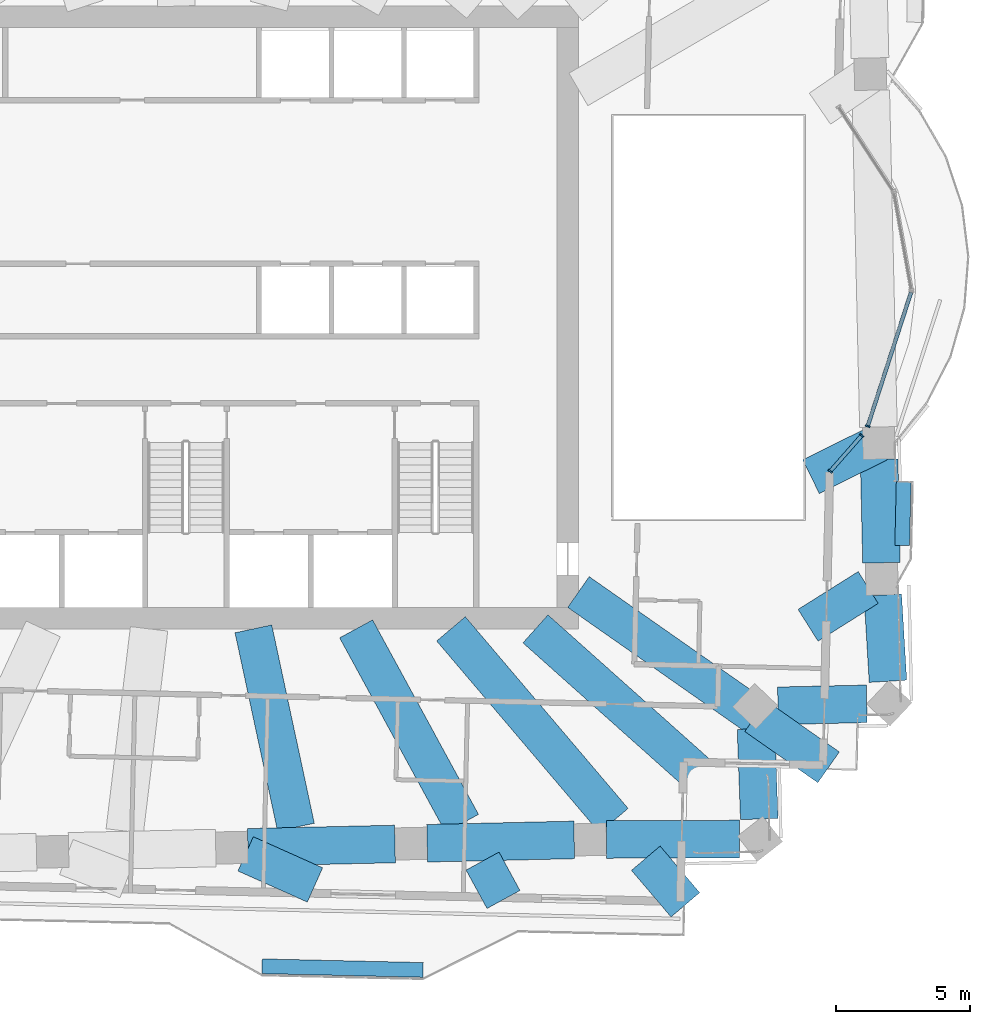
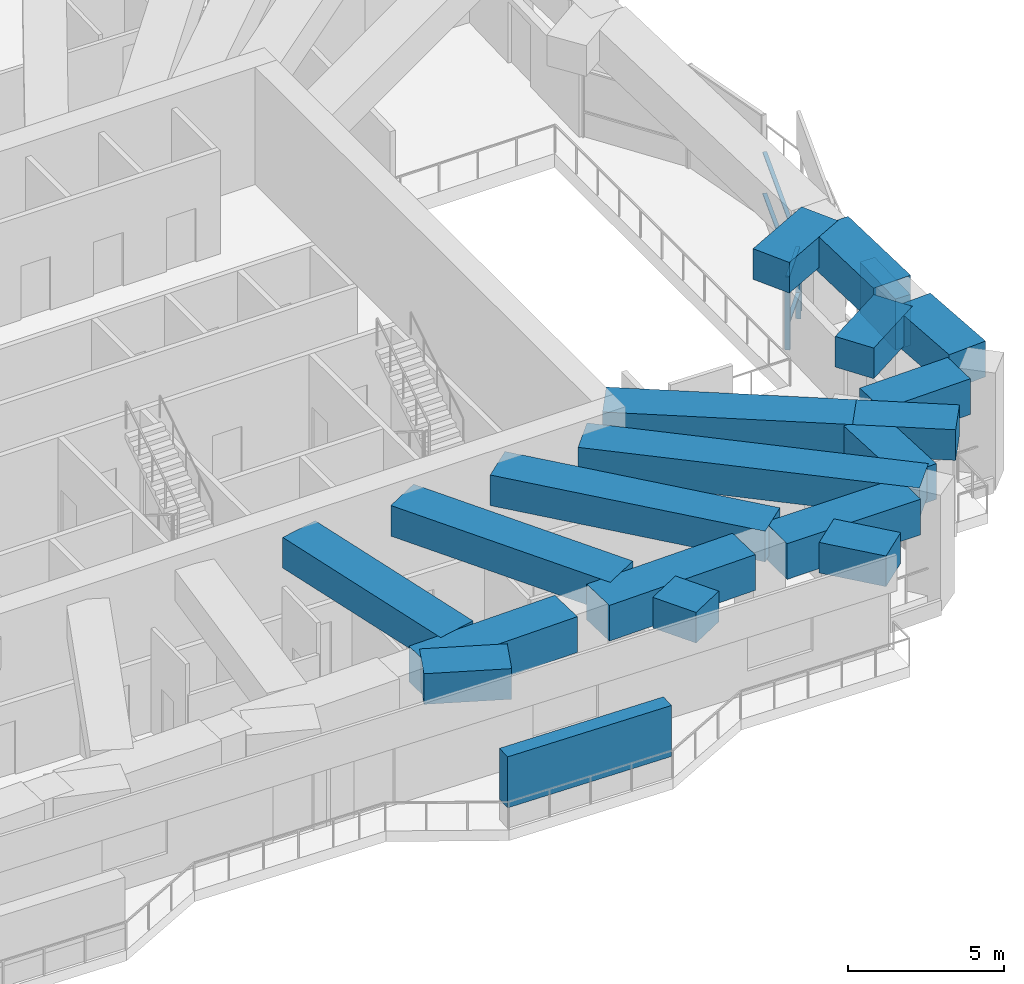
# One storey, part 3 of 19: 18 beams, 9 members, 2 elements without a shape of their own.
"""IFC4 building model written with IfcOpenShell, lengths in metres."""

from ifc_helpers import new_model, si_unit, direction, frame, origin, origin_2d, place, context, subcontext, project, spatial, rectangle, extrude, material, material_profile, profile_set, type_object, element, aggregate, save


model = new_model("IFC4")

# Units and contexts
model_context = context("Model", 3, precision=1e-05, world=origin(), true_north=direction((0.0, 1.0)))
body_context = subcontext(model_context, "Body", "Model", "MODEL_VIEW")
ifc_project = project(units=[si_unit("LENGTHUNIT", "METRE"), si_unit("AREAUNIT", "SQUARE_METRE"), si_unit("VOLUMEUNIT", "CUBIC_METRE"), si_unit("PLANEANGLEUNIT", "RADIAN"), si_unit("MASSUNIT", "GRAM", prefix="KILO")], contexts=[model_context])

# Site, building, storey
site_placement = place(None, origin())
site = spatial("IfcSite", under=ifc_project, at=site_placement, CompositionType="ELEMENT")
building_placement = place(site_placement, origin())
building = spatial("IfcBuilding", under=site, at=building_placement, Name="Mangrove Gate Tower", CompositionType="ELEMENT")
storey_placement = place(building_placement, frame((0.0, 0.0, 193.300048828125)))
storey = spatial("IfcBuildingStorey", under=building, at=storey_placement, Name="L49", CompositionType="ELEMENT", Elevation=193.300048828125)

# Members
ifc_material_1 = material(Name="Planting on aluminium trellis", Category="aluminium")
ifc_material_profile_1 = material_profile(ifc_material_1, rectangle(XDim=0.550048828125, YDim=2.0, at=origin_2d()))
ifc_profile_set_1 = profile_set([ifc_material_profile_1], Name="Planting on aluminium trellis")
member_type_1 = type_object("IfcMemberType", Name="Balcony greenery screen 550x2000", PredefinedType="USERDEFINED", material=ifc_profile_set_1)
member_1_placement = place(storey_placement, frame((26.6640625, -8.493896484375, 1.800048828125), z_axis=(0.022723741019, 0.999741782459, 0.0), x_axis=(-0.999741782459, 0.022723741019, 0.0)))
element("IfcMember", 1, at=member_1_placement, inside=storey, type_object=member_type_1, Name="GREEN SCREEN L49 E0.1", ObjectType="PLANTING", PredefinedType="USERDEFINED", context=body_context, shape_type="SweptSolid", body=[
    extrude(rectangle(XDim=0.550048828125, YDim=2.0, at=origin_2d()), origin(), (0.0, 0.0, 1.0), 2.37451171875),
])
member_2_placement = place(storey_placement, frame((2.81494140625, -24.172119140625, 1.800048828125), z_axis=(0.999743094499, -0.022665943652, 0.0), x_axis=(0.022665943652, 0.999743094499, 0.0)))
element("IfcMember", 2, at=member_2_placement, inside=storey, type_object=member_type_1, Name="GREEN SCREEN L49 S1.1", ObjectType="PLANTING", PredefinedType="USERDEFINED", context=body_context, shape_type="SweptSolid", body=[
    extrude(rectangle(XDim=0.550048828125, YDim=2.0, at=origin_2d()), origin(), (0.0, 0.0, 1.0), 5.99951171875),
])

# Curtain wall, members
ifc_material_2 = material(Name="Aluminium and glass curtain wall", Category="aluminium")
curtain_wall_type = type_object("IfcCurtainWallType", Name="Sky-lounge glazing wall", PredefinedType="NOTDEFINED", material=ifc_material_2)
curtain_wall_1_placement = place(storey_placement, origin())
curtain_wall_1 = element("IfcCurtainWall", 3, at=curtain_wall_1_placement, inside=storey, type_object=curtain_wall_type, Name="Sky-lounge glazing E1p1f1", PredefinedType="NOTDEFINED")
ifc_material_3 = material(Name="Aluminium alloy 6063-T6", Category="aluminium")
ifc_material_profile_2 = material_profile(ifc_material_3, rectangle(XDim=0.06005859375, YDim=0.179931640625, at=origin_2d()))
ifc_profile_set_2 = profile_set([ifc_material_profile_2], Name="Aluminium alloy 6063-T6")
member_type_2 = type_object("IfcMemberType", Name="Sky-lounge glazing mullion 60x180", PredefinedType="MULLION", material=ifc_profile_set_2)
member_3_placement = place(storey_placement, frame((23.98046875, -5.72998046875, 0.0), z_axis=(0.0, 0.0, 1.0), x_axis=(0.660295537514, 0.751005860922, 0.0)))
member_3 = element("IfcMember", 4, at=member_3_placement, type_object=member_type_2, Name="CWK mullion 1", PredefinedType="MULLION", context=body_context, shape_type="SweptSolid", body=[
    extrude(rectangle(XDim=0.06005859375, YDim=0.179931640625, at=origin_2d()), origin(), (0.0, 0.0, 1.0), 2.849853515625),
])
member_4_placement = place(storey_placement, frame((25.1533203125, -4.39599609375, 0.0), z_axis=(0.0, 0.0, 1.0), x_axis=(0.660295537514, 0.751005860922, 0.0)))
member_4 = element("IfcMember", 5, at=member_4_placement, type_object=member_type_2, Name="CWK mullion 2", PredefinedType="MULLION", context=body_context, shape_type="SweptSolid", body=[
    extrude(rectangle(XDim=0.06005859375, YDim=0.179931640625, at=origin_2d()), origin(), (0.0, 0.0, 1.0), 2.849853515625),
])

# Curtain wall, member
curtain_wall_2_placement = place(storey_placement, origin())
curtain_wall_2 = element("IfcCurtainWall", 6, at=curtain_wall_2_placement, inside=storey, type_object=curtain_wall_type, Name="Sky-lounge glazing E1p2f1", PredefinedType="NOTDEFINED")
member_5_placement = place(storey_placement, frame((25.378662109375, -4.04931640625, 0.0), z_axis=(0.0, 0.0, 1.0), x_axis=(0.308041529526, 0.951372911159, 0.0)))
member_5 = element("IfcMember", 7, at=member_5_placement, type_object=member_type_2, Name="CWK mullion 1", PredefinedType="MULLION", context=body_context, shape_type="SweptSolid", body=[
    extrude(rectangle(XDim=0.06005859375, YDim=0.179931640625, at=origin_2d()), origin(), (0.0, 0.0, 1.0), 2.64990234375),
])

# Member
ifc_material_4 = material(Name="Aluminium alloy 6063-T6", Category="aluminium")
ifc_material_profile_3 = material_profile(ifc_material_4, rectangle(XDim=0.06005859375, YDim=0.139892578125, at=origin_2d()))
ifc_profile_set_3 = profile_set([ifc_material_profile_3], Name="Aluminium alloy 6063-T6")
member_type_3 = type_object("IfcMemberType", Name="Sky-lounge glazing transom 60x140", PredefinedType="USERDEFINED", material=ifc_profile_set_3)
member_6_placement = place(storey_placement, frame((24.000244140625, -5.70751953125, 1.0), z_axis=(0.660275109406, 0.751023821126, 0.0), x_axis=(0.0, 0.0, 1.0)))
member_6 = element("IfcMember", 8, at=member_6_placement, type_object=member_type_3, Name="CWK transom 1.2", ObjectType="TRANSOM", PredefinedType="USERDEFINED", context=body_context, shape_type="SweptSolid", body=[
    extrude(rectangle(XDim=0.06005859375, YDim=0.139892578125, at=origin_2d()), origin(), (0.0, 0.0, 1.0), 1.71630859375),
])

member_7_placement = place(storey_placement, frame((24.000244140625, -5.70751953125, 2.820068359375), z_axis=(0.660275109406, 0.751023821126, 0.0), x_axis=(0.0, 0.0, 1.0)))
member_7 = element("IfcMember", 9, at=member_7_placement, type_object=member_type_3, Name="CWK transom 1.3", ObjectType="TRANSOM", PredefinedType="USERDEFINED", context=body_context, shape_type="SweptSolid", body=[
    extrude(rectangle(XDim=0.06005859375, YDim=0.139892578125, at=origin_2d()), origin(), (0.0, 0.0, 1.0), 1.71630859375),
])

aggregate(curtain_wall_1, [member_3, member_4, member_6, member_7])

member_8_placement = place(storey_placement, frame((25.387939453125, -4.02099609375, 1.0), z_axis=(0.308033283758, 0.951375580986, 0.0), x_axis=(0.0, 0.0, 1.0)))
member_8 = element("IfcMember", 10, at=member_8_placement, type_object=member_type_3, Name="CWK transom 1.2", ObjectType="TRANSOM", PredefinedType="USERDEFINED", context=body_context, shape_type="SweptSolid", body=[
    extrude(rectangle(XDim=0.06005859375, YDim=0.139892578125, at=origin_2d()), origin(), (0.0, 0.0, 1.0), 5.21826171875),
])

member_9_placement = place(storey_placement, frame((25.387939453125, -4.02099609375, 2.619873046875), z_axis=(0.308033283758, 0.951375580986, 0.0), x_axis=(0.0, 0.0, 1.0)))
member_9 = element("IfcMember", 11, at=member_9_placement, type_object=member_type_3, Name="CWK transom 1.3", ObjectType="TRANSOM", PredefinedType="USERDEFINED", context=body_context, shape_type="SweptSolid", body=[
    extrude(rectangle(XDim=0.06005859375, YDim=0.139892578125, at=origin_2d()), origin(), (0.0, 0.0, 1.0), 5.21826171875),
])

aggregate(curtain_wall_2, [member_5, member_8, member_9])

# Beams
ifc_material_5 = material(Name="Concrete C60/75", Category="concrete")
ifc_material_profile_4 = material_profile(ifc_material_5, rectangle(XDim=1.39990234375, YDim=1.199951171875, at=origin_2d()))
ifc_profile_set_4 = profile_set([ifc_material_profile_4], Name="Concrete C60/75")
beam_type_1 = type_object("IfcBeamType", Name="Transfer girder RC 1400x1200 C60/75", PredefinedType="BEAM", material=ifc_profile_set_4)
beam_1_placement = place(storey_placement, frame((2.489501953125, -11.60009765625, 3.449951171875), z_axis=(0.209846661979, -0.977734308724, 0.0), x_axis=(0.977734308724, 0.209846661979, 0.0)))
element("IfcBeam", 12, at=beam_1_placement, inside=storey, type_object=beam_type_1, Name="Transfer girder L49 08", PredefinedType="BEAM", context=body_context, shape_type="SweptSolid", body=[
    extrude(rectangle(XDim=1.39990234375, YDim=1.199951171875, at=origin_2d()), origin(), (0.0, 0.0, 1.0), 7.559814453125),
])
beam_2_placement = place(storey_placement, frame((6.316650390625, -11.60009765625, 3.449951171875), z_axis=(0.478250921833, -0.878223238002, 0.0), x_axis=(0.878223238002, 0.478250921833, 0.0)))
element("IfcBeam", 13, at=beam_2_placement, inside=storey, type_object=beam_type_1, Name="Transfer girder L49 09", PredefinedType="BEAM", context=body_context, shape_type="SweptSolid", body=[
    extrude(rectangle(XDim=1.39990234375, YDim=1.199951171875, at=origin_2d()), origin(), (0.0, 0.0, 1.0), 8.25244140625),
])
beam_3_placement = place(storey_placement, frame((11.028564453125, -20.252685546875, 3.449951171875), z_axis=(0.478274816551, -0.878210225318, 0.0), x_axis=(0.878210225318, 0.478274816551, 0.0)))
element("IfcBeam", 14, at=beam_3_placement, inside=storey, type_object=beam_type_1, Name="Transfer cantilever girder L49 09", PredefinedType="BEAM", context=body_context, shape_type="SweptSolid", body=[
    extrude(rectangle(XDim=1.39990234375, YDim=1.199951171875, at=origin_2d()), origin(), (0.0, 0.0, 1.0), 1.6298828125),
])
beam_4_placement = place(storey_placement, frame((9.851806640625, -11.60009765625, 3.449951171875), z_axis=(0.647343631915, -0.762198282745, 0.0), x_axis=(0.762198282745, 0.647343631915, 0.0)))
element("IfcBeam", 15, at=beam_4_placement, inside=storey, type_object=beam_type_1, Name="Transfer girder L49 10", PredefinedType="BEAM", context=body_context, shape_type="SweptSolid", body=[
    extrude(rectangle(XDim=1.39990234375, YDim=1.199951171875, at=origin_2d()), origin(), (0.0, 0.0, 1.0), 9.3720703125),
])
beam_5_placement = place(storey_placement, frame((17.109619140625, -20.14599609375, 3.449951171875), z_axis=(0.64735894189, -0.762185279545, 0.0), x_axis=(0.762185279545, 0.64735894189, 0.0)))
element("IfcBeam", 16, at=beam_5_placement, inside=storey, type_object=beam_type_1, Name="Transfer cantilever girder L49 10", PredefinedType="BEAM", context=body_context, shape_type="SweptSolid", body=[
    extrude(rectangle(XDim=1.39990234375, YDim=1.199951171875, at=origin_2d()), origin(), (0.0, 0.0, 1.0), 2.277099609375),
])
beam_6_placement = place(storey_placement, frame((12.998779296875, -11.60009765625, 3.449951171875), z_axis=(0.746120297244, -0.665811160947, 0.0), x_axis=(0.665811160947, 0.746120297244, 0.0)))
element("IfcBeam", 17, at=beam_6_placement, inside=storey, type_object=beam_type_1, Name="Transfer girder L49 11", PredefinedType="BEAM", context=body_context, shape_type="SweptSolid", body=[
    extrude(rectangle(XDim=1.39990234375, YDim=1.199951171875, at=origin_2d()), origin(), (0.0, 0.0, 1.0), 11.193359375),
])
beam_7_placement = place(storey_placement, frame((14.60009765625, -10.228271484375, 3.449951171875), z_axis=(0.819001285226, -0.573791682406, 0.0), x_axis=(0.573791682406, 0.819001285226, 0.0)))
element("IfcBeam", 18, at=beam_7_placement, inside=storey, type_object=beam_type_1, Name="Transfer girder L49 12", PredefinedType="BEAM", context=body_context, shape_type="SweptSolid", body=[
    extrude(rectangle(XDim=1.39990234375, YDim=1.199951171875, at=origin_2d()), origin(), (0.0, 0.0, 1.0), 8.05859375),
])
beam_8_placement = place(storey_placement, frame((21.2001953125, -14.852294921875, 3.449951171875), z_axis=(0.819028136244, -0.573753354709, 0.0), x_axis=(0.573753354709, 0.819028136244, 0.0)))
element("IfcBeam", 19, at=beam_8_placement, inside=storey, type_object=beam_type_1, Name="Transfer cantilever girder L49 12", PredefinedType="BEAM", context=body_context, shape_type="SweptSolid", body=[
    extrude(rectangle(XDim=1.39990234375, YDim=1.199951171875, at=origin_2d()), origin(), (0.0, 0.0, 1.0), 3.321533203125),
])
beam_9_placement = place(storey_placement, frame((25.39697265625, -10.058349609375, 3.449951171875), z_axis=(-0.846617557552, -0.532201758025, 0.0), x_axis=(0.532201758025, -0.846617557552, 0.0)))
element("IfcBeam", 20, at=beam_9_placement, inside=storey, type_object=beam_type_1, Name="Transfer edge girder L49 13", PredefinedType="BEAM", context=body_context, shape_type="SweptSolid", body=[
    extrude(rectangle(XDim=1.39990234375, YDim=1.199951171875, at=origin_2d()), origin(), (0.0, 0.0, 1.0), 2.64794921875),
])
beam_10_placement = place(storey_placement, frame((25.7900390625, -4.678466796875, 3.449951171875), z_axis=(-0.895757189358, -0.444543651077, 0.0), x_axis=(0.444543651077, -0.895757189358, 0.0)))
element("IfcBeam", 21, at=beam_10_placement, inside=storey, type_object=beam_type_1, Name="Transfer edge girder L49 14", PredefinedType="BEAM", context=body_context, shape_type="SweptSolid", body=[
    extrude(rectangle(XDim=1.39990234375, YDim=1.199951171875, at=origin_2d()), origin(), (0.0, 0.0, 1.0), 2.818359375),
])
beam_11_placement = place(storey_placement, frame((2.200439453125, -19.98388671875, 3.449951171875), z_axis=(0.912588088908, -0.40888015357, 0.0), x_axis=(0.40888015357, 0.912588088908, 0.0)))
element("IfcBeam", 22, at=beam_11_placement, inside=storey, type_object=beam_type_1, Name="Transfer edge girder L49 08", PredefinedType="BEAM", context=body_context, shape_type="SweptSolid", body=[
    extrude(rectangle(XDim=1.39990234375, YDim=1.199951171875, at=origin_2d()), origin(), (0.0, 0.0, 1.0), 2.83203125),
])
ifc_material_6 = material(Name="Concrete C60/75", Category="concrete")
ifc_material_profile_5 = material_profile(ifc_material_6, rectangle(XDim=1.39990234375, YDim=1.39990234375, at=origin_2d()))
ifc_profile_set_5 = profile_set([ifc_material_profile_5], Name="Concrete C60/75")
beam_type_2 = type_object("IfcBeamType", Name="Transfer girder RC 1400x1400 C60/75", PredefinedType="BEAM", material=ifc_profile_set_5)
beam_12_placement = place(storey_placement, frame((2.28515625, -19.739501953125, 3.349853515625), z_axis=(0.999744953581, 0.022583794843, 0.0), x_axis=(-0.022583794843, 0.999744953581, 0.0)))
element("IfcBeam", 23, at=beam_12_placement, inside=storey, type_object=beam_type_2, Name="Transfer ring girder L49 07", PredefinedType="BEAM", context=body_context, shape_type="SweptSolid", body=[
    extrude(rectangle(XDim=1.39990234375, YDim=1.39990234375, at=origin_2d()), origin(), (0.0, 0.0, 1.0), 5.48095703125),
])
beam_13_placement = place(storey_placement, frame((8.96435546875, -19.588623046875, 3.349853515625), z_axis=(0.999740799445, 0.022766948104, 0.0), x_axis=(-0.022766948104, 0.999740799445, 0.0)))
element("IfcBeam", 24, at=beam_13_placement, inside=storey, type_object=beam_type_2, Name="Transfer ring girder L49 08", PredefinedType="BEAM", context=body_context, shape_type="SweptSolid", body=[
    extrude(rectangle(XDim=1.39990234375, YDim=1.39990234375, at=origin_2d()), origin(), (0.0, 0.0, 1.0), 5.479736328125),
])
beam_14_placement = place(storey_placement, frame((15.642578125, -19.447998046875, 3.349853515625), z_axis=(0.999993187862, 0.003691101387, 0.0), x_axis=(-0.003691101387, 0.999993187862, 0.0)))
element("IfcBeam", 25, at=beam_14_placement, inside=storey, type_object=beam_type_2, Name="Transfer ring girder L49 09", PredefinedType="BEAM", context=body_context, shape_type="SweptSolid", body=[
    extrude(rectangle(XDim=1.39990234375, YDim=1.39990234375, at=origin_2d()), origin(), (0.0, 0.0, 1.0), 4.960693359375),
])
beam_15_placement = place(storey_placement, frame((21.337158203125, -18.68505859375, 3.349853515625), z_axis=(-0.035701883706, 0.999362484537, 0.0), x_axis=(-0.999362484537, -0.035701883706, 0.0)))
element("IfcBeam", 26, at=beam_15_placement, inside=storey, type_object=beam_type_2, Name="Transfer ring girder L49 10", PredefinedType="BEAM", context=body_context, shape_type="SweptSolid", body=[
    extrude(rectangle(XDim=1.39990234375, YDim=1.39990234375, at=origin_2d()), origin(), (0.0, 0.0, 1.0), 3.364501953125),
])
beam_16_placement = place(storey_placement, frame((22.034912109375, -14.466796875, 3.349853515625), z_axis=(0.99975619393, 0.022080595508, 0.0), x_axis=(-0.022080595508, 0.99975619393, 0.0)))
element("IfcBeam", 27, at=beam_16_placement, inside=storey, type_object=beam_type_2, Name="Transfer ring girder L49 11", PredefinedType="BEAM", context=body_context, shape_type="SweptSolid", body=[
    extrude(rectangle(XDim=1.39990234375, YDim=1.39990234375, at=origin_2d()), origin(), (0.0, 0.0, 1.0), 3.305908203125),
])
beam_17_placement = place(storey_placement, frame((26.13330078125, -13.55322265625, 3.349853515625), z_axis=(-0.059970856871, 0.998200128394, 0.0), x_axis=(-0.998200128394, -0.059970856871, 0.0)))
element("IfcBeam", 28, at=beam_17_placement, inside=storey, type_object=beam_type_2, Name="Transfer ring girder L49 12", PredefinedType="BEAM", context=body_context, shape_type="SweptSolid", body=[
    extrude(rectangle(XDim=1.39990234375, YDim=1.39990234375, at=origin_2d()), origin(), (0.0, 0.0, 1.0), 3.22021484375),
])
beam_18_placement = place(storey_placement, frame((25.890625, -9.1396484375, 3.349853515625), z_axis=(-0.022503151924, 0.999746772015, 0.0), x_axis=(-0.999746772015, -0.022503151924, 0.0)))
element("IfcBeam", 29, at=beam_18_placement, inside=storey, type_object=beam_type_2, Name="Transfer ring girder L49 13", PredefinedType="BEAM", context=body_context, shape_type="SweptSolid", body=[
    extrude(rectangle(XDim=1.39990234375, YDim=1.39990234375, at=origin_2d()), origin(), (0.0, 0.0, 1.0), 3.8623046875),
])

save(model, "model.ifc")
